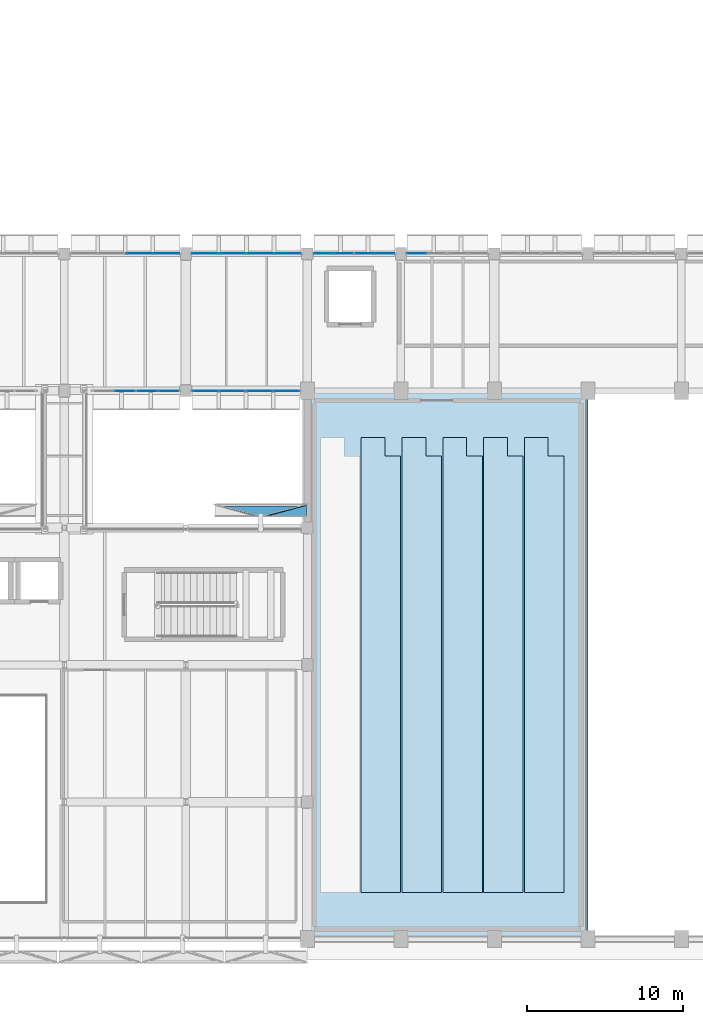
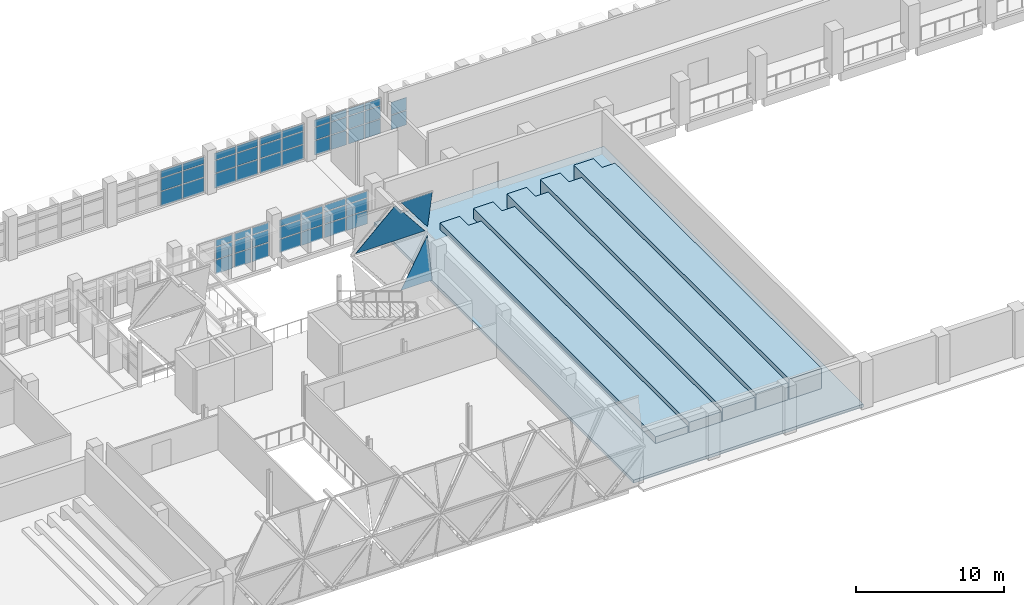
# One storey, part 52 of 80: 56 plates, 6 slabs, 11 elements without a shape of their own.
"""IFC4 building model written with IfcOpenShell, lengths in metres."""

import ifcopenshell
import ifcopenshell.guid

model = None  # the IFC model being written
_history = None  # IfcOwnerHistory: only IFC2X3 demands one
_inside = {}  # id of a spatial element -> (the spatial element, [elements in it])
_under = {}  # id of a project, library or spatial element -> (it, [spatial elements below it])
_declared = {}  # id of a project -> (the project, [libraries it declares])
_typed = {}  # id of a type object -> (the type object, [elements of that type])
_made_of = {}  # id of a material, layer set ... -> (it, [elements and type objects made of it])


def new_model(schema):
    """Start an empty IFC model of exactly this schema.

    Asked for "IFC4X3", IfcOpenShell would pick the latest addendum, in which some entities
    have other attributes; the version numbers below select the first issue.
    IFC2X3 requires an IfcOwnerHistory on every rooted entity: one is made here for all.
    """
    global model, _history
    if schema == "IFC4X3":
        model = ifcopenshell.file(schema_version=(4, 3, 0, 0))
    else:
        model = ifcopenshell.file(schema=schema)
    _inside.clear()
    _under.clear()
    _declared.clear()
    _typed.clear()
    _made_of.clear()
    _history = None
    if model.schema == "IFC2X3":
        org = make("IfcOrganization", Name="unknown")
        user = make(
            "IfcPersonAndOrganization",
            ThePerson=make("IfcPerson", FamilyName="unknown"),
            TheOrganization=org,
        )
        app = make(
            "IfcApplication",
            ApplicationDeveloper=org,
            Version="unknown",
            ApplicationFullName="unknown",
            ApplicationIdentifier="unknown",
        )
        _history = make(
            "IfcOwnerHistory",
            OwningUser=user,
            OwningApplication=app,
            ChangeAction="ADDED",
            CreationDate=0,
        )
    return model


def make(cls, **values):
    """One entity of the class cls with the attributes given. An attribute that is None is left unset."""
    return model.create_entity(
        cls, **{name: value for name, value in values.items() if value is not None}
    )


def rooted(cls, **values):
    """An entity with a GlobalId (a new one), such as an element, a storey or a relation."""
    return make(cls, GlobalId=ifcopenshell.guid.new(), OwnerHistory=_history, **values)


def si_unit(unit_type, name, prefix=None):
    """IfcSIUnit, for example si_unit("LENGTHUNIT", "METRE", prefix="MILLI")."""
    return make("IfcSIUnit", UnitType=unit_type, Prefix=prefix, Name=name)


def assignment(units):
    """IfcUnitAssignment: the units of a project."""
    return None if units is None else make("IfcUnitAssignment", Units=units)


def point(xyz):
    """IfcCartesianPoint."""
    return None if xyz is None else make("IfcCartesianPoint", Coordinates=xyz)


def direction(xyz):
    """IfcDirection."""
    return None if xyz is None else make("IfcDirection", DirectionRatios=xyz)


def frame(location, z_axis=None, x_axis=None):
    """IfcAxis2Placement3D, a coordinate frame: its origin and axes. An axis left out is left unset."""
    return make(
        "IfcAxis2Placement3D",
        Location=point(location),
        Axis=direction(z_axis),
        RefDirection=direction(x_axis),
    )


def frame_2d(location, x_axis=None):
    """IfcAxis2Placement2D, a coordinate frame in the plane: its origin and x axis."""
    return make(
        "IfcAxis2Placement2D", Location=point(location), RefDirection=direction(x_axis)
    )


def origin():
    """The frame at (0, 0, 0) with its axes left unset."""
    return frame((0.0, 0.0, 0.0))


def origin_2d():
    """The frame at (0, 0) in the plane with its x axis left unset."""
    return frame_2d((0.0, 0.0))


def place(relative_to, where):
    """IfcLocalPlacement: puts the frame where relative to a parent placement (None: the world)."""
    return make(
        "IfcLocalPlacement", PlacementRelTo=relative_to, RelativePlacement=where
    )


def context(
    kind, dimensions, precision=None, world=None, true_north=None, identifier=None
):
    """IfcGeometricRepresentationContext, for example the 3D "Model" context."""
    return make(
        "IfcGeometricRepresentationContext",
        ContextIdentifier=identifier,
        ContextType=kind,
        CoordinateSpaceDimension=dimensions,
        Precision=precision,
        WorldCoordinateSystem=world,
        TrueNorth=true_north,
    )


def subcontext(parent, identifier, kind, view, scale=None):
    """IfcGeometricRepresentationSubContext, for example "Body" below "Model"."""
    return make(
        "IfcGeometricRepresentationSubContext",
        ContextIdentifier=identifier,
        ContextType=kind,
        ParentContext=parent,
        TargetScale=scale,
        TargetView=view,
    )


def project(units=None, contexts=None):
    """IfcProject with its units and contexts."""
    return rooted(
        "IfcProject",
        Name="project",
        RepresentationContexts=contexts,
        UnitsInContext=assignment(units),
    )


def spatial(cls, under=None, at=None, **own):
    """A site, building, storey or space (cls), placed at a placement, below another one or the project."""
    s = rooted(cls, ObjectPlacement=at, **own)
    if under is not None:
        _under.setdefault(under.id(), (under, []))[1].append(s)
    return s


def polyline(points):
    """IfcPolyline through the points."""
    return make("IfcPolyline", Points=[point(p) for p in points])


def profile(cls, at=None, kind="AREA", **sizes):
    """A parametric profile (cls). Its sizes go by their IFC names, for example OverallWidth=200.0."""
    return make(cls, ProfileType=kind, Position=at, **sizes)


def rectangle(**sizes):
    """IfcRectangleProfileDef."""
    return profile("IfcRectangleProfileDef", **sizes)


def outline(outer, holes=None, kind="AREA"):
    """IfcArbitraryClosedProfileDef: a profile drawn as a closed curve; with holes, ...WithVoids."""
    if holes is None:
        return make("IfcArbitraryClosedProfileDef", ProfileType=kind, OuterCurve=outer)
    return make(
        "IfcArbitraryProfileDefWithVoids",
        ProfileType=kind,
        OuterCurve=outer,
        InnerCurves=holes,
    )


def extrude(swept, where, along, depth):
    """IfcExtrudedAreaSolid: the profile swept, set in the frame where, extruded along a direction by depth."""
    return make(
        "IfcExtrudedAreaSolid",
        SweptArea=swept,
        Position=where,
        ExtrudedDirection=direction(along),
        Depth=depth,
    )


def shape(context_of_items, identifier, shape_type, items):
    """IfcShapeRepresentation: the items that make up one representation, for example the "Body"."""
    return make(
        "IfcShapeRepresentation",
        ContextOfItems=context_of_items,
        RepresentationIdentifier=identifier,
        RepresentationType=shape_type,
        Items=items,
    )


def material(Name=None, Category=None):
    """IfcMaterial."""
    return make("IfcMaterial", Name=Name, Category=Category)


def layer(
    of_material, thickness, ventilated=None, Name=None, Category=None, Priority=None
):
    """IfcMaterialLayer: one layer of a wall or slab, of a material (None: an air gap)."""
    return make(
        "IfcMaterialLayer",
        Material=of_material,
        LayerThickness=thickness,
        IsVentilated=ventilated,
        Name=Name,
        Category=Category,
        Priority=Priority,
    )


def layer_set(layers, Name=None):
    """IfcMaterialLayerSet."""
    return make("IfcMaterialLayerSet", MaterialLayers=layers, LayerSetName=Name)


def made_of(thing, what):
    """Note that an element or type object is made of a material, layer set ...; save() writes the relation."""
    if what is not None:
        _made_of.setdefault(what.id(), (what, []))[1].append(thing)
    return thing


def type_object(cls, material=None, **own):
    """A type object (cls), such as IfcWallType, which elements share."""
    return made_of(rooted(cls, **own), material)


def element(
    cls,
    number,
    at=None,
    inside=None,
    cuts=None,
    type_object=None,
    material=None,
    context=None,
    identifier="Body",
    shape_type=None,
    held_by="IfcProductDefinitionShape",
    body=None,
    shapes=None,
    **own,
):
    """One element of the class cls, such as IfcWall. Its Tag is "e" and its number.

    at: its placement. inside: the storey or other place that contains it. cuts: it is an
    opening in that element (IfcRelVoidsElement). A single representation is given by context,
    identifier, shape_type and body (its items); several are given by shapes. held_by: the class
    of the entity that holds the representations. save() writes the other relations.
    """
    e = rooted(cls, Tag="e%d" % number, ObjectPlacement=at, **own)
    if body is not None:
        shapes = [shape(context, identifier, shape_type, body)]
    if shapes is not None:
        e.Representation = make(held_by, Representations=shapes)
    if inside is not None:
        _inside.setdefault(inside.id(), (inside, []))[1].append(e)
    if cuts is not None:
        rooted(
            "IfcRelVoidsElement", RelatingBuildingElement=cuts, RelatedOpeningElement=e
        )
    if type_object is not None:
        _typed.setdefault(type_object.id(), (type_object, []))[1].append(e)
    return made_of(e, material)


def aggregate(whole, parts):
    """IfcRelAggregates: a whole, such as a stair, and the parts it consists of."""
    return rooted("IfcRelAggregates", RelatingObject=whole, RelatedObjects=parts)


def save(model, path):
    """Write the relations noted so far, then the file.

    IfcRelAggregates (storeys below a building ...), IfcRelContainedInSpatialStructure (elements
    in a storey), IfcRelDefinesByType, IfcRelAssociatesMaterial and IfcRelDeclares: one each for
    every whole, place, type object, material and project.
    """
    for whole, parts in _under.values():
        aggregate(whole, parts)
    for where, things in _inside.values():
        rooted(
            "IfcRelContainedInSpatialStructure",
            RelatedElements=things,
            RelatingStructure=where,
        )
    for kind, things in _typed.values():
        rooted("IfcRelDefinesByType", RelatedObjects=things, RelatingType=kind)
    for what, things in _made_of.values():
        rooted("IfcRelAssociatesMaterial", RelatedObjects=things, RelatingMaterial=what)
    for by, libraries in _declared.values():
        rooted("IfcRelDeclares", RelatingContext=by, RelatedDefinitions=libraries)
    model.write(path)


model = new_model("IFC4")

# Units and contexts
model_context = context("Model", 3, precision=1e-05, world=origin(), true_north=direction((0.0, 1.0)))
body_context = subcontext(model_context, "Body", "Model", "MODEL_VIEW")
ifc_project = project(units=[si_unit("LENGTHUNIT", "METRE"), si_unit("AREAUNIT", "SQUARE_METRE"), si_unit("VOLUMEUNIT", "CUBIC_METRE"), si_unit("PLANEANGLEUNIT", "RADIAN"), si_unit("MASSUNIT", "GRAM", prefix="KILO")], contexts=[model_context])

# Site, building, storey
site_placement = place(None, origin())
site = spatial("IfcSite", under=ifc_project, at=site_placement, CompositionType="ELEMENT")
building_placement = place(site_placement, origin())
building = spatial("IfcBuilding", under=site, at=building_placement, Name="Varnakota Cinema and Media Centre", CompositionType="ELEMENT")
storey_placement = place(building_placement, frame((0.0, 0.0, 4.5)))
storey = spatial("IfcBuildingStorey", under=building, at=storey_placement, Name="L01", CompositionType="ELEMENT", Elevation=4.5)

# Curtain wall, plate
ifc_material_1 = material(Name="Anodised golden-bronze aluminium AW-6063", Category="aluminium")
curtain_wall_type_1 = type_object("IfcCurtainWallType", Name="CW-DMD-600x750", PredefinedType="USERDEFINED", material=ifc_material_1)
curtain_wall_1_placement = place(storey_placement, origin())
curtain_wall_1 = element("IfcCurtainWall", 1, at=curtain_wall_1_placement, inside=storey, type_object=curtain_wall_type_1, Name="L01 folded diamond foyer curtain wall CW-V6DMD-N-T1E-D01", ObjectType="DIAMOND FOLDED CURTAIN WALL", PredefinedType="USERDEFINED")
ifc_material_2 = material(Name="Laminated solar-control double glazing", Category="glass")
ifc_layer_1 = layer(ifc_material_2, 0.028076171875)
ifc_layer_set_1 = layer_set([ifc_layer_1], Name="Laminated solar-control double glazing")
plate_type_1 = type_object("IfcPlateType", Name="CWP-DGU-28", PredefinedType="CURTAIN_PANEL", material=ifc_layer_set_1)
plate_1_placement = place(storey_placement, frame((69.280029296875, 27.81103515625, 3.889892578125), z_axis=(0.0, 0.979922966914, 0.199376475328), x_axis=(1.0, 0.0, 0.0)))
plate_1 = element("IfcPlate", 2, at=plate_1_placement, type_object=plate_type_1, Name="CW-V6DMD-N-T1E-D01 upper diamond fitted glass facet", PredefinedType="CURTAIN_PANEL", context=body_context, shape_type="SweptSolid", body=[
    extrude(outline(polyline([(0.0, 0.0), (5.43994140625, 0.0), (2.719970703125, -3.541313920499503), (0.0, 0.0)])), origin(), (0.0, 0.0, -1.0), 0.02392578125),
])

# Curtain wall, plates
ifc_material_3 = material(Name="Thermally broken anodised aluminium AW-6063", Category="aluminium")
curtain_wall_type_2 = type_object("IfcCurtainWallType", Name="CW-STD-262x304", PredefinedType="USERDEFINED", material=ifc_material_3)
curtain_wall_2_placement = place(storey_placement, origin())
curtain_wall_2 = element("IfcCurtainWall", 3, at=curtain_wall_2_placement, inside=storey, type_object=curtain_wall_type_2, Name="L01 curtain wall CW-L01-V1-N-01-1", ObjectType="UNITISED CURTAIN WALL", PredefinedType="USERDEFINED")
plate_2_placement = place(storey_placement, frame((76.045654296875, 44.0, 0.06494140625), z_axis=(0.0, 0.0, 1.0), x_axis=(1.0, 0.0, 0.0)))
plate_2 = element("IfcPlate", 4, at=plate_2_placement, type_object=plate_type_1, Name="CW17 panel 1.1", PredefinedType="CURTAIN_PANEL", context=body_context, shape_type="SweptSolid", body=[
    extrude(rectangle(XDim=1.211181640625, YDim=0.028076171875, at=origin_2d()), origin(), (0.0, 0.0, 1.0), 1.17724609375),
])
plate_3_placement = place(storey_placement, frame((76.045654296875, 44.0, 1.30712890625), z_axis=(0.0, 0.0, 1.0), x_axis=(1.0, 0.0, 0.0)))
plate_3 = element("IfcPlate", 5, at=plate_3_placement, type_object=plate_type_1, Name="CW17 panel 1.2", PredefinedType="CURTAIN_PANEL", context=body_context, shape_type="SweptSolid", body=[
    extrude(rectangle(XDim=1.211181640625, YDim=0.028076171875, at=origin_2d()), origin(), (0.0, 0.0, 1.0), 1.027587890625),
])
plate_4_placement = place(storey_placement, frame((76.045654296875, 44.0, 2.399658203125), z_axis=(0.0, 0.0, 1.0), x_axis=(1.0, 0.0, 0.0)))
plate_4 = element("IfcPlate", 6, at=plate_4_placement, type_object=plate_type_1, Name="CW17 panel 1.3", PredefinedType="CURTAIN_PANEL", context=body_context, shape_type="SweptSolid", body=[
    extrude(rectangle(XDim=1.211181640625, YDim=0.028076171875, at=origin_2d()), origin(), (0.0, 0.0, 1.0), 0.5703125),
])
plate_5_placement = place(storey_placement, frame((77.32177734375, 44.0, 0.06494140625), z_axis=(0.0, 0.0, 1.0), x_axis=(1.0, 0.0, 0.0)))
plate_5 = element("IfcPlate", 7, at=plate_5_placement, type_object=plate_type_1, Name="CW17 panel 2.1", PredefinedType="CURTAIN_PANEL", context=body_context, shape_type="SweptSolid", body=[
    extrude(rectangle(XDim=1.211181640625, YDim=0.028076171875, at=origin_2d()), origin(), (0.0, 0.0, 1.0), 1.17724609375),
])
plate_6_placement = place(storey_placement, frame((77.32177734375, 44.0, 1.30712890625), z_axis=(0.0, 0.0, 1.0), x_axis=(1.0, 0.0, 0.0)))
plate_6 = element("IfcPlate", 8, at=plate_6_placement, type_object=plate_type_1, Name="CW17 panel 2.2", PredefinedType="CURTAIN_PANEL", context=body_context, shape_type="SweptSolid", body=[
    extrude(rectangle(XDim=1.211181640625, YDim=0.028076171875, at=origin_2d()), origin(), (0.0, 0.0, 1.0), 1.027587890625),
])
plate_7_placement = place(storey_placement, frame((77.32177734375, 44.0, 2.399658203125), z_axis=(0.0, 0.0, 1.0), x_axis=(1.0, 0.0, 0.0)))
plate_7 = element("IfcPlate", 9, at=plate_7_placement, type_object=plate_type_1, Name="CW17 panel 2.3", PredefinedType="CURTAIN_PANEL", context=body_context, shape_type="SweptSolid", body=[
    extrude(rectangle(XDim=1.211181640625, YDim=0.028076171875, at=origin_2d()), origin(), (0.0, 0.0, 1.0), 0.5703125),
])
aggregate(curtain_wall_2, [plate_2, plate_3, plate_4, plate_5, plate_6, plate_7])

curtain_wall_3_placement = place(storey_placement, origin())
curtain_wall_3 = element("IfcCurtainWall", 10, at=curtain_wall_3_placement, inside=storey, type_object=curtain_wall_type_2, Name="L01 curtain wall CW-L01-V1-N-01-2", ObjectType="UNITISED CURTAIN WALL", PredefinedType="USERDEFINED")
plate_8_placement = place(storey_placement, frame((78.703125, 44.0, 0.06494140625), z_axis=(0.0, 0.0, 1.0), x_axis=(1.0, 0.0, 0.0)))
plate_8 = element("IfcPlate", 11, at=plate_8_placement, type_object=plate_type_1, Name="CW17 panel 1.1", PredefinedType="CURTAIN_PANEL", context=body_context, shape_type="SweptSolid", body=[
    extrude(rectangle(XDim=1.211181640625, YDim=0.028076171875, at=origin_2d()), origin(), (0.0, 0.0, 1.0), 1.17724609375),
])
plate_9_placement = place(storey_placement, frame((78.703125, 44.0, 1.30712890625), z_axis=(0.0, 0.0, 1.0), x_axis=(1.0, 0.0, 0.0)))
plate_9 = element("IfcPlate", 12, at=plate_9_placement, type_object=plate_type_1, Name="CW17 panel 1.2", PredefinedType="CURTAIN_PANEL", context=body_context, shape_type="SweptSolid", body=[
    extrude(rectangle(XDim=1.211181640625, YDim=0.028076171875, at=origin_2d()), origin(), (0.0, 0.0, 1.0), 1.027587890625),
])
plate_10_placement = place(storey_placement, frame((78.703125, 44.0, 2.399658203125), z_axis=(0.0, 0.0, 1.0), x_axis=(1.0, 0.0, 0.0)))
plate_10 = element("IfcPlate", 13, at=plate_10_placement, type_object=plate_type_1, Name="CW17 panel 1.3", PredefinedType="CURTAIN_PANEL", context=body_context, shape_type="SweptSolid", body=[
    extrude(rectangle(XDim=1.211181640625, YDim=0.028076171875, at=origin_2d()), origin(), (0.0, 0.0, 1.0), 0.5703125),
])
plate_11_placement = place(storey_placement, frame((79.9794921875, 44.0, 0.06494140625), z_axis=(0.0, 0.0, 1.0), x_axis=(1.0, 0.0, 0.0)))
plate_11 = element("IfcPlate", 14, at=plate_11_placement, type_object=plate_type_1, Name="CW17 panel 2.1", PredefinedType="CURTAIN_PANEL", context=body_context, shape_type="SweptSolid", body=[
    extrude(rectangle(XDim=1.211181640625, YDim=0.028076171875, at=origin_2d()), origin(), (0.0, 0.0, 1.0), 1.17724609375),
])
plate_12_placement = place(storey_placement, frame((79.9794921875, 44.0, 1.30712890625), z_axis=(0.0, 0.0, 1.0), x_axis=(1.0, 0.0, 0.0)))
plate_12 = element("IfcPlate", 15, at=plate_12_placement, type_object=plate_type_1, Name="CW17 panel 2.2", PredefinedType="CURTAIN_PANEL", context=body_context, shape_type="SweptSolid", body=[
    extrude(rectangle(XDim=1.211181640625, YDim=0.028076171875, at=origin_2d()), origin(), (0.0, 0.0, 1.0), 1.027587890625),
])
plate_13_placement = place(storey_placement, frame((79.9794921875, 44.0, 2.399658203125), z_axis=(0.0, 0.0, 1.0), x_axis=(1.0, 0.0, 0.0)))
plate_13 = element("IfcPlate", 16, at=plate_13_placement, type_object=plate_type_1, Name="CW17 panel 2.3", PredefinedType="CURTAIN_PANEL", context=body_context, shape_type="SweptSolid", body=[
    extrude(rectangle(XDim=1.211181640625, YDim=0.028076171875, at=origin_2d()), origin(), (0.0, 0.0, 1.0), 0.5703125),
])
aggregate(curtain_wall_3, [plate_8, plate_9, plate_10, plate_11, plate_12, plate_13])

curtain_wall_4_placement = place(storey_placement, origin())
curtain_wall_4 = element("IfcCurtainWall", 17, at=curtain_wall_4_placement, inside=storey, type_object=curtain_wall_type_2, Name="L01 curtain wall CW-L01-V1-N-02-1", ObjectType="UNITISED CURTAIN WALL", PredefinedType="USERDEFINED")
plate_14_placement = place(storey_placement, frame((82.0205078125, 44.0, 0.06494140625), z_axis=(0.0, 0.0, 1.0), x_axis=(1.0, 0.0, 0.0)))
plate_14 = element("IfcPlate", 18, at=plate_14_placement, type_object=plate_type_1, Name="CW17 panel 1.1", PredefinedType="CURTAIN_PANEL", context=body_context, shape_type="SweptSolid", body=[
    extrude(rectangle(XDim=1.211181640625, YDim=0.028076171875, at=origin_2d()), origin(), (0.0, 0.0, 1.0), 1.17724609375),
])
plate_15_placement = place(storey_placement, frame((82.0205078125, 44.0, 1.30712890625), z_axis=(0.0, 0.0, 1.0), x_axis=(1.0, 0.0, 0.0)))
plate_15 = element("IfcPlate", 19, at=plate_15_placement, type_object=plate_type_1, Name="CW17 panel 1.2", PredefinedType="CURTAIN_PANEL", context=body_context, shape_type="SweptSolid", body=[
    extrude(rectangle(XDim=1.211181640625, YDim=0.028076171875, at=origin_2d()), origin(), (0.0, 0.0, 1.0), 1.027587890625),
])
aggregate(curtain_wall_4, [plate_14, plate_15])

ifc_material_4 = material(Name="Thermally broken anodised aluminium AW-6063", Category="aluminium")
curtain_wall_type_3 = type_object("IfcCurtainWallType", Name="CW-STD-352x304", PredefinedType="USERDEFINED", material=ifc_material_4)
curtain_wall_5_placement = place(storey_placement, origin())
curtain_wall_5 = element("IfcCurtainWall", 20, at=curtain_wall_5_placement, inside=storey, type_object=curtain_wall_type_3, Name="L01 curtain wall CW-L01-LINK-N-03-2", ObjectType="UNITISED CURTAIN WALL", PredefinedType="USERDEFINED")
plate_16_placement = place(storey_placement, frame((64.22802734375, 44.0, 0.06494140625), z_axis=(0.0, 0.0, 1.0), x_axis=(1.0, 0.0, 0.0)))
plate_16 = element("IfcPlate", 21, at=plate_16_placement, type_object=plate_type_1, Name="CW19 panel 1.1", PredefinedType="CURTAIN_PANEL", context=body_context, shape_type="SweptSolid", body=[
    extrude(rectangle(XDim=1.6611328125, YDim=0.028076171875, at=origin_2d()), origin(), (0.0, 0.0, 1.0), 1.17724609375),
])
plate_17_placement = place(storey_placement, frame((64.22802734375, 44.0, 1.30712890625), z_axis=(0.0, 0.0, 1.0), x_axis=(1.0, 0.0, 0.0)))
plate_17 = element("IfcPlate", 22, at=plate_17_placement, type_object=plate_type_1, Name="CW19 panel 1.2", PredefinedType="CURTAIN_PANEL", context=body_context, shape_type="SweptSolid", body=[
    extrude(rectangle(XDim=1.6611328125, YDim=0.028076171875, at=origin_2d()), origin(), (0.0, 0.0, 1.0), 1.027587890625),
])
plate_18_placement = place(storey_placement, frame((64.22802734375, 44.0, 2.399658203125), z_axis=(0.0, 0.0, 1.0), x_axis=(1.0, 0.0, 0.0)))
plate_18 = element("IfcPlate", 23, at=plate_18_placement, type_object=plate_type_1, Name="CW19 panel 1.3", PredefinedType="CURTAIN_PANEL", context=body_context, shape_type="SweptSolid", body=[
    extrude(rectangle(XDim=1.6611328125, YDim=0.028076171875, at=origin_2d()), origin(), (0.0, 0.0, 1.0), 0.5703125),
])
plate_19_placement = place(storey_placement, frame((65.954345703125, 44.0, 0.06494140625), z_axis=(0.0, 0.0, 1.0), x_axis=(1.0, 0.0, 0.0)))
plate_19 = element("IfcPlate", 24, at=plate_19_placement, type_object=plate_type_1, Name="CW19 panel 2.1", PredefinedType="CURTAIN_PANEL", context=body_context, shape_type="SweptSolid", body=[
    extrude(rectangle(XDim=1.6611328125, YDim=0.028076171875, at=origin_2d()), origin(), (0.0, 0.0, 1.0), 1.17724609375),
])
plate_20_placement = place(storey_placement, frame((65.954345703125, 44.0, 1.30712890625), z_axis=(0.0, 0.0, 1.0), x_axis=(1.0, 0.0, 0.0)))
plate_20 = element("IfcPlate", 25, at=plate_20_placement, type_object=plate_type_1, Name="CW19 panel 2.2", PredefinedType="CURTAIN_PANEL", context=body_context, shape_type="SweptSolid", body=[
    extrude(rectangle(XDim=1.6611328125, YDim=0.028076171875, at=origin_2d()), origin(), (0.0, 0.0, 1.0), 1.027587890625),
])
plate_21_placement = place(storey_placement, frame((65.954345703125, 44.0, 2.399658203125), z_axis=(0.0, 0.0, 1.0), x_axis=(1.0, 0.0, 0.0)))
plate_21 = element("IfcPlate", 26, at=plate_21_placement, type_object=plate_type_1, Name="CW19 panel 2.3", PredefinedType="CURTAIN_PANEL", context=body_context, shape_type="SweptSolid", body=[
    extrude(rectangle(XDim=1.6611328125, YDim=0.028076171875, at=origin_2d()), origin(), (0.0, 0.0, 1.0), 0.5703125),
])
aggregate(curtain_wall_5, [plate_16, plate_17, plate_18, plate_19, plate_20, plate_21])

curtain_wall_6_placement = place(storey_placement, origin())
curtain_wall_6 = element("IfcCurtainWall", 27, at=curtain_wall_6_placement, inside=storey, type_object=curtain_wall_type_3, Name="L01 curtain wall CW-L01-LINK-N-04-1", ObjectType="UNITISED CURTAIN WALL", PredefinedType="USERDEFINED")
plate_22_placement = place(storey_placement, frame((68.445556640625, 44.0, 0.06494140625), z_axis=(0.0, 0.0, 1.0), x_axis=(1.0, 0.0, 0.0)))
plate_22 = element("IfcPlate", 28, at=plate_22_placement, type_object=plate_type_1, Name="CW19 panel 1.1", PredefinedType="CURTAIN_PANEL", context=body_context, shape_type="SweptSolid", body=[
    extrude(rectangle(XDim=1.6611328125, YDim=0.028076171875, at=origin_2d()), origin(), (0.0, 0.0, 1.0), 1.17724609375),
])
plate_23_placement = place(storey_placement, frame((68.445556640625, 44.0, 1.30712890625), z_axis=(0.0, 0.0, 1.0), x_axis=(1.0, 0.0, 0.0)))
plate_23 = element("IfcPlate", 29, at=plate_23_placement, type_object=plate_type_1, Name="CW19 panel 1.2", PredefinedType="CURTAIN_PANEL", context=body_context, shape_type="SweptSolid", body=[
    extrude(rectangle(XDim=1.6611328125, YDim=0.028076171875, at=origin_2d()), origin(), (0.0, 0.0, 1.0), 1.027587890625),
])
plate_24_placement = place(storey_placement, frame((68.445556640625, 44.0, 2.399658203125), z_axis=(0.0, 0.0, 1.0), x_axis=(1.0, 0.0, 0.0)))
plate_24 = element("IfcPlate", 30, at=plate_24_placement, type_object=plate_type_1, Name="CW19 panel 1.3", PredefinedType="CURTAIN_PANEL", context=body_context, shape_type="SweptSolid", body=[
    extrude(rectangle(XDim=1.6611328125, YDim=0.028076171875, at=origin_2d()), origin(), (0.0, 0.0, 1.0), 0.5703125),
])
plate_25_placement = place(storey_placement, frame((70.171875, 44.0, 0.06494140625), z_axis=(0.0, 0.0, 1.0), x_axis=(1.0, 0.0, 0.0)))
plate_25 = element("IfcPlate", 31, at=plate_25_placement, type_object=plate_type_1, Name="CW19 panel 2.1", PredefinedType="CURTAIN_PANEL", context=body_context, shape_type="SweptSolid", body=[
    extrude(rectangle(XDim=1.6611328125, YDim=0.028076171875, at=origin_2d()), origin(), (0.0, 0.0, 1.0), 1.17724609375),
])
plate_26_placement = place(storey_placement, frame((70.171875, 44.0, 1.30712890625), z_axis=(0.0, 0.0, 1.0), x_axis=(1.0, 0.0, 0.0)))
plate_26 = element("IfcPlate", 32, at=plate_26_placement, type_object=plate_type_1, Name="CW19 panel 2.2", PredefinedType="CURTAIN_PANEL", context=body_context, shape_type="SweptSolid", body=[
    extrude(rectangle(XDim=1.6611328125, YDim=0.028076171875, at=origin_2d()), origin(), (0.0, 0.0, 1.0), 1.027587890625),
])
plate_27_placement = place(storey_placement, frame((70.171875, 44.0, 2.399658203125), z_axis=(0.0, 0.0, 1.0), x_axis=(1.0, 0.0, 0.0)))
plate_27 = element("IfcPlate", 33, at=plate_27_placement, type_object=plate_type_1, Name="CW19 panel 2.3", PredefinedType="CURTAIN_PANEL", context=body_context, shape_type="SweptSolid", body=[
    extrude(rectangle(XDim=1.6611328125, YDim=0.028076171875, at=origin_2d()), origin(), (0.0, 0.0, 1.0), 0.5703125),
])
aggregate(curtain_wall_6, [plate_22, plate_23, plate_24, plate_25, plate_26, plate_27])

curtain_wall_7_placement = place(storey_placement, origin())
curtain_wall_7 = element("IfcCurtainWall", 34, at=curtain_wall_7_placement, inside=storey, type_object=curtain_wall_type_3, Name="L01 curtain wall CW-L01-LINK-N-04-2", ObjectType="UNITISED CURTAIN WALL", PredefinedType="USERDEFINED")
plate_28_placement = place(storey_placement, frame((72.003173828125, 44.0, 0.06494140625), z_axis=(0.0, 0.0, 1.0), x_axis=(1.0, 0.0, 0.0)))
plate_28 = element("IfcPlate", 35, at=plate_28_placement, type_object=plate_type_1, Name="CW19 panel 1.1", PredefinedType="CURTAIN_PANEL", context=body_context, shape_type="SweptSolid", body=[
    extrude(rectangle(XDim=1.6611328125, YDim=0.028076171875, at=origin_2d()), origin(), (0.0, 0.0, 1.0), 1.17724609375),
])
plate_29_placement = place(storey_placement, frame((72.003173828125, 44.0, 1.30712890625), z_axis=(0.0, 0.0, 1.0), x_axis=(1.0, 0.0, 0.0)))
plate_29 = element("IfcPlate", 36, at=plate_29_placement, type_object=plate_type_1, Name="CW19 panel 1.2", PredefinedType="CURTAIN_PANEL", context=body_context, shape_type="SweptSolid", body=[
    extrude(rectangle(XDim=1.6611328125, YDim=0.028076171875, at=origin_2d()), origin(), (0.0, 0.0, 1.0), 1.027587890625),
])
plate_30_placement = place(storey_placement, frame((72.003173828125, 44.0, 2.399658203125), z_axis=(0.0, 0.0, 1.0), x_axis=(1.0, 0.0, 0.0)))
plate_30 = element("IfcPlate", 37, at=plate_30_placement, type_object=plate_type_1, Name="CW19 panel 1.3", PredefinedType="CURTAIN_PANEL", context=body_context, shape_type="SweptSolid", body=[
    extrude(rectangle(XDim=1.6611328125, YDim=0.028076171875, at=origin_2d()), origin(), (0.0, 0.0, 1.0), 0.5703125),
])
plate_31_placement = place(storey_placement, frame((73.7294921875, 44.0, 0.06494140625), z_axis=(0.0, 0.0, 1.0), x_axis=(1.0, 0.0, 0.0)))
plate_31 = element("IfcPlate", 38, at=plate_31_placement, type_object=plate_type_1, Name="CW19 panel 2.1", PredefinedType="CURTAIN_PANEL", context=body_context, shape_type="SweptSolid", body=[
    extrude(rectangle(XDim=1.6611328125, YDim=0.028076171875, at=origin_2d()), origin(), (0.0, 0.0, 1.0), 1.17724609375),
])
plate_32_placement = place(storey_placement, frame((73.7294921875, 44.0, 1.30712890625), z_axis=(0.0, 0.0, 1.0), x_axis=(1.0, 0.0, 0.0)))
plate_32 = element("IfcPlate", 39, at=plate_32_placement, type_object=plate_type_1, Name="CW19 panel 2.2", PredefinedType="CURTAIN_PANEL", context=body_context, shape_type="SweptSolid", body=[
    extrude(rectangle(XDim=1.6611328125, YDim=0.028076171875, at=origin_2d()), origin(), (0.0, 0.0, 1.0), 1.027587890625),
])
plate_33_placement = place(storey_placement, frame((73.7294921875, 44.0, 2.399658203125), z_axis=(0.0, 0.0, 1.0), x_axis=(1.0, 0.0, 0.0)))
plate_33 = element("IfcPlate", 40, at=plate_33_placement, type_object=plate_type_1, Name="CW19 panel 2.3", PredefinedType="CURTAIN_PANEL", context=body_context, shape_type="SweptSolid", body=[
    extrude(rectangle(XDim=1.6611328125, YDim=0.028076171875, at=origin_2d()), origin(), (0.0, 0.0, 1.0), 0.5703125),
])
aggregate(curtain_wall_7, [plate_28, plate_29, plate_30, plate_31, plate_32, plate_33])

ifc_material_5 = material(Name="Thermally broken anodised aluminium AW-6063", Category="aluminium")
curtain_wall_type_4 = type_object("IfcCurtainWallType", Name="CW-STD-347x284", PredefinedType="USERDEFINED", material=ifc_material_5)
curtain_wall_8_placement = place(storey_placement, origin())
curtain_wall_8 = element("IfcCurtainWall", 41, at=curtain_wall_8_placement, inside=storey, type_object=curtain_wall_type_4, Name="L01 curtain wall CW-L01-LINK-S-E-01-1", ObjectType="UNITISED CURTAIN WALL", PredefinedType="USERDEFINED")
plate_34_placement = place(storey_placement, frame((73.6669921875, 35.199951171875, 0.06494140625), z_axis=(0.0, 0.0, 1.0), x_axis=(-1.0, 0.0, 0.0)))
plate_34 = element("IfcPlate", 42, at=plate_34_placement, type_object=plate_type_1, Name="CW22 panel 1.1", PredefinedType="CURTAIN_PANEL", context=body_context, shape_type="SweptSolid", body=[
    extrude(rectangle(XDim=1.63623046875, YDim=0.028076171875, at=origin_2d()), origin(), (0.0, 0.0, 1.0), 1.09326171875),
])
plate_35_placement = place(storey_placement, frame((73.6669921875, 35.199951171875, 1.22314453125), z_axis=(0.0, 0.0, 1.0), x_axis=(-1.0, 0.0, 0.0)))
plate_35 = element("IfcPlate", 43, at=plate_35_placement, type_object=plate_type_1, Name="CW22 panel 1.2", PredefinedType="CURTAIN_PANEL", context=body_context, shape_type="SweptSolid", body=[
    extrude(rectangle(XDim=1.63623046875, YDim=0.028076171875, at=origin_2d()), origin(), (0.0, 0.0, 1.0), 0.95556640625),
])
plate_36_placement = place(storey_placement, frame((73.6669921875, 35.199951171875, 2.24365234375), z_axis=(0.0, 0.0, 1.0), x_axis=(-1.0, 0.0, 0.0)))
plate_36 = element("IfcPlate", 44, at=plate_36_placement, type_object=plate_type_1, Name="CW22 panel 1.3", PredefinedType="CURTAIN_PANEL", context=body_context, shape_type="SweptSolid", body=[
    extrude(rectangle(XDim=1.63623046875, YDim=0.028076171875, at=origin_2d()), origin(), (0.0, 0.0, 1.0), 0.526123046875),
])
plate_37_placement = place(storey_placement, frame((71.965576171875, 35.199951171875, 0.06494140625), z_axis=(0.0, 0.0, 1.0), x_axis=(-1.0, 0.0, 0.0)))
plate_37 = element("IfcPlate", 45, at=plate_37_placement, type_object=plate_type_1, Name="CW22 panel 2.1", PredefinedType="CURTAIN_PANEL", context=body_context, shape_type="SweptSolid", body=[
    extrude(rectangle(XDim=1.63623046875, YDim=0.028076171875, at=origin_2d()), origin(), (0.0, 0.0, 1.0), 1.09326171875),
])
plate_38_placement = place(storey_placement, frame((71.965576171875, 35.199951171875, 1.22314453125), z_axis=(0.0, 0.0, 1.0), x_axis=(-1.0, 0.0, 0.0)))
plate_38 = element("IfcPlate", 46, at=plate_38_placement, type_object=plate_type_1, Name="CW22 panel 2.2", PredefinedType="CURTAIN_PANEL", context=body_context, shape_type="SweptSolid", body=[
    extrude(rectangle(XDim=1.63623046875, YDim=0.028076171875, at=origin_2d()), origin(), (0.0, 0.0, 1.0), 0.95556640625),
])
plate_39_placement = place(storey_placement, frame((71.965576171875, 35.199951171875, 2.24365234375), z_axis=(0.0, 0.0, 1.0), x_axis=(-1.0, 0.0, 0.0)))
plate_39 = element("IfcPlate", 47, at=plate_39_placement, type_object=plate_type_1, Name="CW22 panel 2.3", PredefinedType="CURTAIN_PANEL", context=body_context, shape_type="SweptSolid", body=[
    extrude(rectangle(XDim=1.63623046875, YDim=0.028076171875, at=origin_2d()), origin(), (0.0, 0.0, 1.0), 0.526123046875),
])
aggregate(curtain_wall_8, [plate_34, plate_35, plate_36, plate_37, plate_38, plate_39])

curtain_wall_9_placement = place(storey_placement, origin())
curtain_wall_9 = element("IfcCurtainWall", 48, at=curtain_wall_9_placement, inside=storey, type_object=curtain_wall_type_4, Name="L01 curtain wall CW-L01-LINK-S-E-01-2", ObjectType="UNITISED CURTAIN WALL", PredefinedType="USERDEFINED")
plate_40_placement = place(storey_placement, frame((70.159423828125, 35.199951171875, 0.06494140625), z_axis=(0.0, 0.0, 1.0), x_axis=(-1.0, 0.0, 0.0)))
plate_40 = element("IfcPlate", 49, at=plate_40_placement, type_object=plate_type_1, Name="CW22 panel 1.1", PredefinedType="CURTAIN_PANEL", context=body_context, shape_type="SweptSolid", body=[
    extrude(rectangle(XDim=1.63623046875, YDim=0.028076171875, at=origin_2d()), origin(), (0.0, 0.0, 1.0), 1.09326171875),
])
plate_41_placement = place(storey_placement, frame((70.159423828125, 35.199951171875, 1.22314453125), z_axis=(0.0, 0.0, 1.0), x_axis=(-1.0, 0.0, 0.0)))
plate_41 = element("IfcPlate", 50, at=plate_41_placement, type_object=plate_type_1, Name="CW22 panel 1.2", PredefinedType="CURTAIN_PANEL", context=body_context, shape_type="SweptSolid", body=[
    extrude(rectangle(XDim=1.63623046875, YDim=0.028076171875, at=origin_2d()), origin(), (0.0, 0.0, 1.0), 0.95556640625),
])
plate_42_placement = place(storey_placement, frame((70.159423828125, 35.199951171875, 2.24365234375), z_axis=(0.0, 0.0, 1.0), x_axis=(-1.0, 0.0, 0.0)))
plate_42 = element("IfcPlate", 51, at=plate_42_placement, type_object=plate_type_1, Name="CW22 panel 1.3", PredefinedType="CURTAIN_PANEL", context=body_context, shape_type="SweptSolid", body=[
    extrude(rectangle(XDim=1.63623046875, YDim=0.028076171875, at=origin_2d()), origin(), (0.0, 0.0, 1.0), 0.526123046875),
])
plate_43_placement = place(storey_placement, frame((68.4580078125, 35.199951171875, 0.06494140625), z_axis=(0.0, 0.0, 1.0), x_axis=(-1.0, 0.0, 0.0)))
plate_43 = element("IfcPlate", 52, at=plate_43_placement, type_object=plate_type_1, Name="CW22 panel 2.1", PredefinedType="CURTAIN_PANEL", context=body_context, shape_type="SweptSolid", body=[
    extrude(rectangle(XDim=1.63623046875, YDim=0.028076171875, at=origin_2d()), origin(), (0.0, 0.0, 1.0), 1.09326171875),
])
plate_44_placement = place(storey_placement, frame((68.4580078125, 35.199951171875, 1.22314453125), z_axis=(0.0, 0.0, 1.0), x_axis=(-1.0, 0.0, 0.0)))
plate_44 = element("IfcPlate", 53, at=plate_44_placement, type_object=plate_type_1, Name="CW22 panel 2.2", PredefinedType="CURTAIN_PANEL", context=body_context, shape_type="SweptSolid", body=[
    extrude(rectangle(XDim=1.63623046875, YDim=0.028076171875, at=origin_2d()), origin(), (0.0, 0.0, 1.0), 0.95556640625),
])
plate_45_placement = place(storey_placement, frame((68.4580078125, 35.199951171875, 2.24365234375), z_axis=(0.0, 0.0, 1.0), x_axis=(-1.0, 0.0, 0.0)))
plate_45 = element("IfcPlate", 54, at=plate_45_placement, type_object=plate_type_1, Name="CW22 panel 2.3", PredefinedType="CURTAIN_PANEL", context=body_context, shape_type="SweptSolid", body=[
    extrude(rectangle(XDim=1.63623046875, YDim=0.028076171875, at=origin_2d()), origin(), (0.0, 0.0, 1.0), 0.526123046875),
])
aggregate(curtain_wall_9, [plate_40, plate_41, plate_42, plate_43, plate_44, plate_45])

ifc_material_6 = material(Name="Thermally broken anodised aluminium AW-6063", Category="aluminium")
curtain_wall_type_5 = type_object("IfcCurtainWallType", Name="CW-STD-279x294", PredefinedType="USERDEFINED", material=ifc_material_6)
curtain_wall_10_placement = place(storey_placement, origin())
curtain_wall_10 = element("IfcCurtainWall", 55, at=curtain_wall_10_placement, inside=storey, type_object=curtain_wall_type_5, Name="L01 curtain wall CW-L01-LINK-S-E-02-1", ObjectType="UNITISED CURTAIN WALL", PredefinedType="USERDEFINED")
plate_46_placement = place(storey_placement, frame((66.110595703125, 35.199951171875, 0.06494140625), z_axis=(0.0, 0.0, 1.0), x_axis=(-1.0, 0.0, 0.0)))
plate_46 = element("IfcPlate", 56, at=plate_46_placement, type_object=plate_type_1, Name="CW23 panel 1.1", PredefinedType="CURTAIN_PANEL", context=body_context, shape_type="SweptSolid", body=[
    extrude(rectangle(XDim=1.298828125, YDim=0.028076171875, at=origin_2d()), origin(), (0.0, 0.0, 1.0), 1.13525390625),
])
plate_47_placement = place(storey_placement, frame((66.110595703125, 35.199951171875, 1.26513671875), z_axis=(0.0, 0.0, 1.0), x_axis=(-1.0, 0.0, 0.0)))
plate_47 = element("IfcPlate", 57, at=plate_47_placement, type_object=plate_type_1, Name="CW23 panel 1.2", PredefinedType="CURTAIN_PANEL", context=body_context, shape_type="SweptSolid", body=[
    extrude(rectangle(XDim=1.298828125, YDim=0.028076171875, at=origin_2d()), origin(), (0.0, 0.0, 1.0), 0.99169921875),
])
plate_48_placement = place(storey_placement, frame((66.110595703125, 35.199951171875, 2.32177734375), z_axis=(0.0, 0.0, 1.0), x_axis=(-1.0, 0.0, 0.0)))
plate_48 = element("IfcPlate", 58, at=plate_48_placement, type_object=plate_type_1, Name="CW23 panel 1.3", PredefinedType="CURTAIN_PANEL", context=body_context, shape_type="SweptSolid", body=[
    extrude(rectangle(XDim=1.298828125, YDim=0.028076171875, at=origin_2d()), origin(), (0.0, 0.0, 1.0), 0.548095703125),
])
plate_49_placement = place(storey_placement, frame((64.746826171875, 35.199951171875, 0.06494140625), z_axis=(0.0, 0.0, 1.0), x_axis=(-1.0, 0.0, 0.0)))
plate_49 = element("IfcPlate", 59, at=plate_49_placement, type_object=plate_type_1, Name="CW23 panel 2.1", PredefinedType="CURTAIN_PANEL", context=body_context, shape_type="SweptSolid", body=[
    extrude(rectangle(XDim=1.298828125, YDim=0.028076171875, at=origin_2d()), origin(), (0.0, 0.0, 1.0), 1.13525390625),
])
plate_50_placement = place(storey_placement, frame((64.746826171875, 35.199951171875, 1.26513671875), z_axis=(0.0, 0.0, 1.0), x_axis=(-1.0, 0.0, 0.0)))
plate_50 = element("IfcPlate", 60, at=plate_50_placement, type_object=plate_type_1, Name="CW23 panel 2.2", PredefinedType="CURTAIN_PANEL", context=body_context, shape_type="SweptSolid", body=[
    extrude(rectangle(XDim=1.298828125, YDim=0.028076171875, at=origin_2d()), origin(), (0.0, 0.0, 1.0), 0.99169921875),
])
plate_51_placement = place(storey_placement, frame((64.746826171875, 35.199951171875, 2.32177734375), z_axis=(0.0, 0.0, 1.0), x_axis=(-1.0, 0.0, 0.0)))
plate_51 = element("IfcPlate", 61, at=plate_51_placement, type_object=plate_type_1, Name="CW23 panel 2.3", PredefinedType="CURTAIN_PANEL", context=body_context, shape_type="SweptSolid", body=[
    extrude(rectangle(XDim=1.298828125, YDim=0.028076171875, at=origin_2d()), origin(), (0.0, 0.0, 1.0), 0.548095703125),
])
aggregate(curtain_wall_10, [plate_46, plate_47, plate_48, plate_49, plate_50, plate_51])

curtain_wall_11_placement = place(storey_placement, origin())
curtain_wall_11 = element("IfcCurtainWall", 62, at=curtain_wall_11_placement, inside=storey, type_object=curtain_wall_type_5, Name="L01 curtain wall CW-L01-LINK-S-E-02-2", ObjectType="UNITISED CURTAIN WALL", PredefinedType="USERDEFINED")
plate_52_placement = place(storey_placement, frame((63.278076171875, 35.199951171875, 0.06494140625), z_axis=(0.0, 0.0, 1.0), x_axis=(-1.0, 0.0, 0.0)))
plate_52 = element("IfcPlate", 63, at=plate_52_placement, type_object=plate_type_1, Name="CW23 panel 1.1", PredefinedType="CURTAIN_PANEL", context=body_context, shape_type="SweptSolid", body=[
    extrude(rectangle(XDim=1.298828125, YDim=0.028076171875, at=origin_2d()), origin(), (0.0, 0.0, 1.0), 1.13525390625),
])
plate_53_placement = place(storey_placement, frame((63.278076171875, 35.199951171875, 1.26513671875), z_axis=(0.0, 0.0, 1.0), x_axis=(-1.0, 0.0, 0.0)))
plate_53 = element("IfcPlate", 64, at=plate_53_placement, type_object=plate_type_1, Name="CW23 panel 1.2", PredefinedType="CURTAIN_PANEL", context=body_context, shape_type="SweptSolid", body=[
    extrude(rectangle(XDim=1.298828125, YDim=0.028076171875, at=origin_2d()), origin(), (0.0, 0.0, 1.0), 0.99169921875),
])
plate_54_placement = place(storey_placement, frame((63.278076171875, 35.199951171875, 2.32177734375), z_axis=(0.0, 0.0, 1.0), x_axis=(-1.0, 0.0, 0.0)))
plate_54 = element("IfcPlate", 65, at=plate_54_placement, type_object=plate_type_1, Name="CW23 panel 1.3", PredefinedType="CURTAIN_PANEL", context=body_context, shape_type="SweptSolid", body=[
    extrude(rectangle(XDim=1.298828125, YDim=0.028076171875, at=origin_2d()), origin(), (0.0, 0.0, 1.0), 0.548095703125),
])
aggregate(curtain_wall_11, [plate_52, plate_53, plate_54])

# Plate
ifc_material_7 = material(Name="Anodised golden-bronze aluminium AW-6063", Category="aluminium")
ifc_layer_2 = layer(ifc_material_7, 0.035888671875)
ifc_layer_set_2 = layer_set([ifc_layer_2], Name="Anodised golden-bronze aluminium AW-6063")
plate_type_2 = type_object("IfcPlateType", Name="CWP-GOLD-36", PredefinedType="CURTAIN_PANEL", material=ifc_layer_set_2)
plate_55_placement = place(storey_placement, frame((72.47998046875, 27.177978515625, 0.10009765625), z_axis=(0.0, -0.979925277754, 0.199365117357), x_axis=(1.0, 0.0, 0.0)))
plate_55 = element("IfcPlate", 66, at=plate_55_placement, type_object=plate_type_2, Name="CW-V6DMD-N-T1E-D01 golden metal folded diamond spandrel SP-BR", PredefinedType="CURTAIN_PANEL", context=body_context, shape_type="SweptSolid", body=[
    extrude(outline(polyline([(0.0, 0.0), (2.4599609375, 0.0), (2.4599609375, 3.3370090612877767), (0.0, 0.0)])), origin(), (0.0, 0.0, -1.0), 0.028076171875),
])

plate_56_placement = place(storey_placement, frame((74.93994140625, 27.84326171875, 4.1298828125), z_axis=(0.0, 0.979925277754, 0.199365117357), x_axis=(0.0, -0.199365117357, 0.979925277754)))
plate_56 = element("IfcPlate", 67, at=plate_56_placement, type_object=plate_type_2, Name="CW-V6DMD-N-T1E-D01 golden metal folded diamond spandrel SP-TR", PredefinedType="CURTAIN_PANEL", context=body_context, shape_type="SweptSolid", body=[
    extrude(outline(polyline([(0.0, 0.0), (3.337009061287777, 0.0), (3.337009061287777, -2.4599609375), (0.0, 0.0)])), origin(), (0.0, 0.0, -1.0), 0.028076171875),
])

aggregate(curtain_wall_1, [plate_1, plate_55, plate_56])

# Slabs
ifc_material_8 = material(Name="Concrete M35", Category="concrete")
ifc_layer_3 = layer(ifc_material_8, 0.25)
ifc_layer_set_3 = layer_set([ifc_layer_3], Name="Concrete M35")
slab_type_1 = type_object("IfcSlabType", Name="SLB-FLR-250", PredefinedType="FLOOR", material=ifc_layer_set_3)
slab_1_placement = place(storey_placement, frame((0.0, 0.0, -0.25)))
element("IfcSlab", 68, at=slab_1_placement, inside=storey, type_object=slab_type_1, Name="L01 V1-BALC floor slab", PredefinedType="FLOOR", context=body_context, shape_type="SweptSolid", body=[
    extrude(outline(polyline([(75.0, 0.0), (93.0, 0.0), (93.0, 35.199951171875), (75.0, 35.199951171875), (75.0, 0.0)])), origin(), (0.0, 0.0, 1.0), 0.25),
])
ifc_material_9 = material(Name="Concrete M35", Category="concrete")
ifc_layer_4 = layer(ifc_material_9, 0.219970703125)
ifc_layer_set_4 = layer_set([ifc_layer_4], Name="Concrete M35")
slab_type_2 = type_object("IfcSlabType", Name="SLB-TIER-220", PredefinedType="USERDEFINED", material=ifc_layer_set_4)
slab_2_placement = place(storey_placement, origin())
element("IfcSlab", 69, at=slab_2_placement, inside=storey, type_object=slab_type_2, Name="L01 V1-BALC raked seating tier 2", ObjectType="SEATING TIER", PredefinedType="USERDEFINED", context=body_context, shape_type="SweptSolid", body=[
    extrude(outline(polyline([(78.456787109375, 3.0), (80.993408203125, 3.0), (80.993408203125, 31.0), (79.993408203125, 31.0), (79.993408203125, 32.199951171875), (78.456787109375, 32.199951171875), (78.456787109375, 3.0)])), origin(), (0.0, 0.0, 1.0), 0.56005859375),
])
slab_3_placement = place(storey_placement, origin())
element("IfcSlab", 70, at=slab_3_placement, inside=storey, type_object=slab_type_2, Name="L01 V1-BALC raked seating tier 3", ObjectType="SEATING TIER", PredefinedType="USERDEFINED", context=body_context, shape_type="SweptSolid", body=[
    extrude(outline(polyline([(81.0732421875, 3.0), (83.610107421875, 3.0), (83.610107421875, 31.0), (82.610107421875, 31.0), (82.610107421875, 32.199951171875), (81.0732421875, 32.199951171875), (81.0732421875, 3.0)])), origin(), (0.0, 0.0, 1.0), 0.840087890625),
])
slab_4_placement = place(storey_placement, origin())
element("IfcSlab", 71, at=slab_4_placement, inside=storey, type_object=slab_type_2, Name="L01 V1-BALC raked seating tier 4", ObjectType="SEATING TIER", PredefinedType="USERDEFINED", context=body_context, shape_type="SweptSolid", body=[
    extrude(outline(polyline([(83.68994140625, 3.0), (86.2265625, 3.0), (86.2265625, 31.0), (85.2265625, 31.0), (85.2265625, 32.199951171875), (83.68994140625, 32.199951171875), (83.68994140625, 3.0)])), origin(), (0.0, 0.0, 1.0), 1.1201171875),
])
slab_5_placement = place(storey_placement, origin())
element("IfcSlab", 72, at=slab_5_placement, inside=storey, type_object=slab_type_2, Name="L01 V1-BALC raked seating tier 5", ObjectType="SEATING TIER", PredefinedType="USERDEFINED", context=body_context, shape_type="SweptSolid", body=[
    extrude(outline(polyline([(86.306640625, 3.0), (88.84326171875, 3.0), (88.84326171875, 31.0), (87.84326171875, 31.0), (87.84326171875, 32.199951171875), (86.306640625, 32.199951171875), (86.306640625, 3.0)])), origin(), (0.0, 0.0, 1.0), 1.39990234375),
])
slab_6_placement = place(storey_placement, origin())
element("IfcSlab", 73, at=slab_6_placement, inside=storey, type_object=slab_type_2, Name="L01 V1-BALC raked seating tier 6", ObjectType="SEATING TIER", PredefinedType="USERDEFINED", context=body_context, shape_type="SweptSolid", body=[
    extrude(outline(polyline([(88.92333984375, 3.0), (91.4599609375, 3.0), (91.4599609375, 31.0), (90.4599609375, 31.0), (90.4599609375, 32.199951171875), (88.92333984375, 32.199951171875), (88.92333984375, 3.0)])), origin(), (0.0, 0.0, 1.0), 1.679931640625),
])

save(model, "model.ifc")
